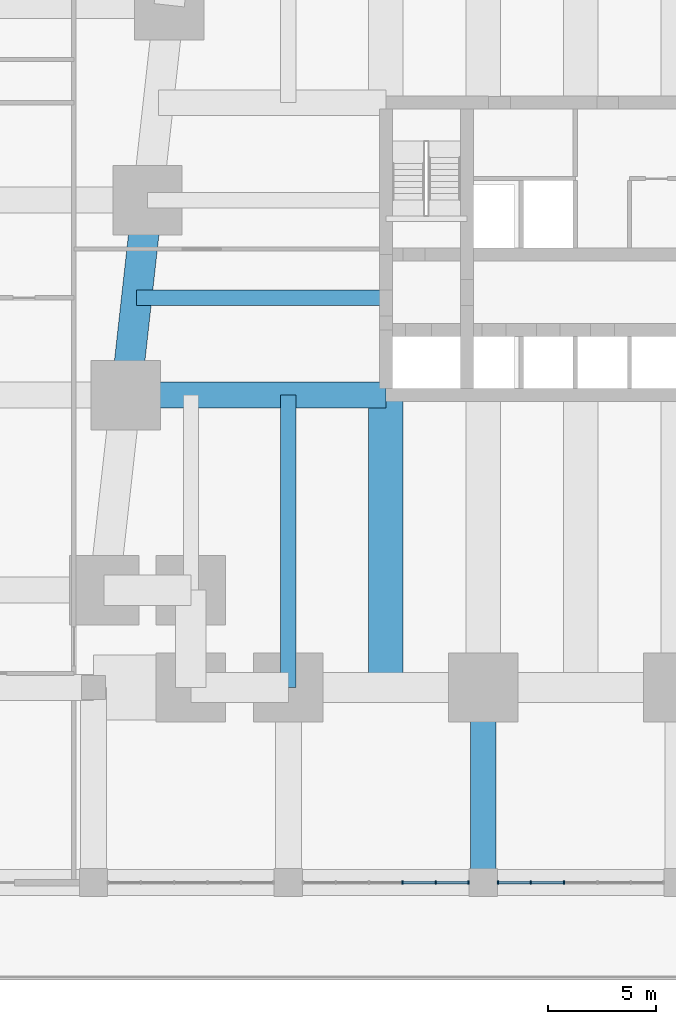
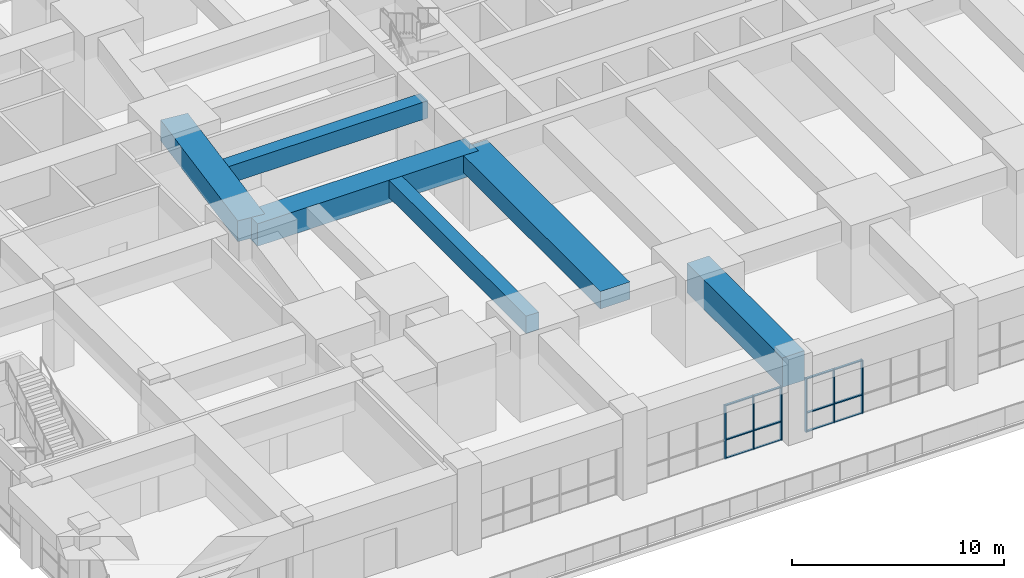
# One storey, part 5 of 27: 18 members, 6 beams, 2 elements without a shape of their own.
"""IFC4 building model written with IfcOpenShell, lengths in metres."""

from ifc_helpers import new_model, si_unit, direction, frame, origin, origin_2d, place, context, subcontext, project, spatial, rectangle, extrude, material, material_profile, profile_set, type_object, element, aggregate, save


model = new_model("IFC4")

# Units and contexts
model_context = context("Model", 3, precision=1e-05, world=origin(), true_north=direction((0.0, 1.0)))
body_context = subcontext(model_context, "Body", "Model", "MODEL_VIEW")
ifc_project = project(units=[si_unit("LENGTHUNIT", "METRE"), si_unit("AREAUNIT", "SQUARE_METRE"), si_unit("VOLUMEUNIT", "CUBIC_METRE"), si_unit("PLANEANGLEUNIT", "RADIAN"), si_unit("MASSUNIT", "GRAM", prefix="KILO")], contexts=[model_context])

# Site, building, storey
site_placement = place(None, origin())
site = spatial("IfcSite", under=ifc_project, at=site_placement, CompositionType="ELEMENT")
building_placement = place(site_placement, origin())
building = spatial("IfcBuilding", under=site, at=building_placement, Name="Kilele Tower Hotel", CompositionType="ELEMENT")
storey_placement = place(building_placement, frame((0.0, 0.0, 6.0)))
storey = spatial("IfcBuildingStorey", under=building, at=storey_placement, Name="L01", CompositionType="ELEMENT", Elevation=6.0)

# Beams
ifc_material_1 = material(Name="Concrete C60/75", Category="concrete")
ifc_material_profile_1 = material_profile(ifc_material_1, rectangle(XDim=1.60009765625, YDim=1.0, at=origin_2d()))
ifc_profile_set_1 = profile_set([ifc_material_profile_1], Name="Concrete C60/75")
beam_type_1 = type_object("IfcBeamType", Name="Beam RC 1600x1000 C60/75", PredefinedType="BEAM", material=ifc_profile_set_1)
beam_1_placement = place(storey_placement, frame((13.5, 0.0, 4.199951171875), z_axis=(0.0, 1.0, 0.0), x_axis=(-1.0, 0.0, 0.0)))
element("IfcBeam", 1, at=beam_1_placement, inside=storey, type_object=beam_type_1, Name="Beam BC1 level L02", PredefinedType="BEAM", context=body_context, shape_type="SweptSolid", body=[
    extrude(rectangle(XDim=1.60009765625, YDim=1.0, at=origin_2d()), origin(), (0.0, 0.0, 1.0), 13.5),
])
ifc_material_2 = material(Name="Concrete C60/75", Category="concrete")
ifc_material_profile_2 = material_profile(ifc_material_2, rectangle(XDim=0.699951171875, YDim=1.0, at=origin_2d()))
ifc_profile_set_2 = profile_set([ifc_material_profile_2], Name="Concrete C60/75")
beam_type_2 = type_object("IfcBeamType", Name="Beam RC 700x1000 C60/75", PredefinedType="BEAM", material=ifc_profile_set_2)
beam_2_placement = place(storey_placement, frame((9.0, 0.0, 4.199951171875), z_axis=(0.0, 1.0, 0.0), x_axis=(-1.0, 0.0, 0.0)))
element("IfcBeam", 2, at=beam_2_placement, inside=storey, type_object=beam_type_2, Name="Beam B4 level L02", PredefinedType="BEAM", context=body_context, shape_type="SweptSolid", body=[
    extrude(rectangle(XDim=0.699951171875, YDim=1.0, at=origin_2d()), origin(), (0.0, 0.0, 1.0), 13.5),
])
ifc_material_3 = material(Name="Concrete C60/75", Category="concrete")
ifc_material_profile_3 = material_profile(ifc_material_3, rectangle(XDim=0.699951171875, YDim=1.0, at=origin_2d()))
ifc_profile_set_3 = profile_set([ifc_material_profile_3], Name="Concrete C60/75")
beam_type_3 = type_object("IfcBeamType", Name="Beam RC 700x1000 C60/75 mid span", PredefinedType="BEAM", material=ifc_profile_set_3)
beam_3_placement = place(storey_placement, frame((2.0, 18.0, 4.199951171875), z_axis=(1.0, 0.0, 0.0), x_axis=(0.0, 1.0, 0.0)))
element("IfcBeam", 3, at=beam_3_placement, inside=storey, type_object=beam_type_3, Name="Beam B5 level L02", PredefinedType="BEAM", context=body_context, shape_type="SweptSolid", body=[
    extrude(rectangle(XDim=0.699951171875, YDim=1.0, at=origin_2d()), origin(), (0.0, 0.0, 1.0), 11.5),
])
ifc_material_4 = material(Name="Concrete C60/75", Category="concrete")
ifc_material_profile_4 = material_profile(ifc_material_4, rectangle(XDim=1.199951171875, YDim=1.300048828125, at=origin_2d()))
ifc_profile_set_4 = profile_set([ifc_material_profile_4], Name="Concrete C60/75")
beam_type_4 = type_object("IfcBeamType", Name="Girder RC 1200x1300 C60/75", PredefinedType="BEAM", material=ifc_profile_set_4)
beam_4_placement = place(storey_placement, frame((1.5, 13.5, 4.050048828125), z_axis=(1.0, 0.0, 0.0), x_axis=(0.0, 1.0, 0.0)))
element("IfcBeam", 4, at=beam_4_placement, inside=storey, type_object=beam_type_4, Name="Girder G1 level L02", PredefinedType="BEAM", context=body_context, shape_type="SweptSolid", body=[
    extrude(rectangle(XDim=1.199951171875, YDim=1.300048828125, at=origin_2d()), origin(), (0.0, 0.0, 1.0), 12.0),
])

# Curtain wall, members
ifc_material_5 = material(Name="Aluminium curtain wall, clear double glazing", Category="aluminium")
curtain_wall_type = type_object("IfcCurtainWallType", Name="Podium curtain wall CW-1", PredefinedType="NOTDEFINED", material=ifc_material_5)
curtain_wall_1_placement = place(storey_placement, origin())
curtain_wall_1 = element("IfcCurtainWall", 5, at=curtain_wall_1_placement, inside=storey, type_object=curtain_wall_type, Name="Podium curtain wall CW-1 L01", PredefinedType="NOTDEFINED")
ifc_material_6 = material(Name="Aluminium EN AW-6063 T6", Category="aluminium")
ifc_material_profile_5 = material_profile(ifc_material_6, rectangle(XDim=0.159912109375, YDim=0.06005859375, at=origin_2d()))
ifc_profile_set_5 = profile_set([ifc_material_profile_5], Name="Aluminium EN AW-6063 T6")
member_type_1 = type_object("IfcMemberType", Name="Mullion 60x160 CW-1", PredefinedType="MULLION", material=ifc_profile_set_5)
member_1_placement = place(storey_placement, frame((14.27001953125, -9.0, 0.0), z_axis=(0.0, 0.0, 1.0), x_axis=(0.0, 1.0, 0.0)))
member_1 = element("IfcMember", 6, at=member_1_placement, type_object=member_type_1, Name="CW-1 mullion 4", PredefinedType="MULLION", context=body_context, shape_type="SweptSolid", body=[
    extrude(rectangle(XDim=0.159912109375, YDim=0.06005859375, at=origin_2d()), origin(), (0.0, 0.0, 1.0), 3.10009765625),
])
member_2_placement = place(storey_placement, frame((15.81005859375, -9.0, 0.0), z_axis=(0.0, 0.0, 1.0), x_axis=(0.0, 1.0, 0.0)))
member_2 = element("IfcMember", 7, at=member_2_placement, type_object=member_type_1, Name="CW-1 mullion 5", PredefinedType="MULLION", context=body_context, shape_type="SweptSolid", body=[
    extrude(rectangle(XDim=0.159912109375, YDim=0.06005859375, at=origin_2d()), origin(), (0.0, 0.0, 1.0), 3.10009765625),
])
member_3_placement = place(storey_placement, frame((17.320068359375, -9.0, 0.0), z_axis=(0.0, 0.0, 1.0), x_axis=(0.0, 1.0, 0.0)))
member_3 = element("IfcMember", 8, at=member_3_placement, type_object=member_type_1, Name="CW-1 mullion 6", PredefinedType="MULLION", context=body_context, shape_type="SweptSolid", body=[
    extrude(rectangle(XDim=0.159912109375, YDim=0.06005859375, at=origin_2d()), origin(), (0.0, 0.0, 1.0), 3.10009765625),
])

curtain_wall_2_placement = place(storey_placement, origin())
curtain_wall_2 = element("IfcCurtainWall", 9, at=curtain_wall_2_placement, inside=storey, type_object=curtain_wall_type, Name="Podium curtain wall CW-1 L01", PredefinedType="NOTDEFINED")
member_4_placement = place(storey_placement, frame((18.679931640625, -9.0, 0.0), z_axis=(0.0, 0.0, 1.0), x_axis=(0.0, 1.0, 0.0)))
member_4 = element("IfcMember", 10, at=member_4_placement, type_object=member_type_1, Name="CW-1 mullion 1", PredefinedType="MULLION", context=body_context, shape_type="SweptSolid", body=[
    extrude(rectangle(XDim=0.159912109375, YDim=0.06005859375, at=origin_2d()), origin(), (0.0, 0.0, 1.0), 3.10009765625),
])
member_5_placement = place(storey_placement, frame((20.18994140625, -9.0, 0.0), z_axis=(0.0, 0.0, 1.0), x_axis=(0.0, 1.0, 0.0)))
member_5 = element("IfcMember", 11, at=member_5_placement, type_object=member_type_1, Name="CW-1 mullion 2", PredefinedType="MULLION", context=body_context, shape_type="SweptSolid", body=[
    extrude(rectangle(XDim=0.159912109375, YDim=0.06005859375, at=origin_2d()), origin(), (0.0, 0.0, 1.0), 3.10009765625),
])
member_6_placement = place(storey_placement, frame((21.72998046875, -9.0, 0.0), z_axis=(0.0, 0.0, 1.0), x_axis=(0.0, 1.0, 0.0)))
member_6 = element("IfcMember", 12, at=member_6_placement, type_object=member_type_1, Name="CW-1 mullion 3", PredefinedType="MULLION", context=body_context, shape_type="SweptSolid", body=[
    extrude(rectangle(XDim=0.159912109375, YDim=0.06005859375, at=origin_2d()), origin(), (0.0, 0.0, 1.0), 3.10009765625),
])

# Beams
ifc_material_7 = material(Name="Concrete C60/75", Category="concrete")
ifc_material_profile_6 = material_profile(ifc_material_7, rectangle(XDim=1.39990234375, YDim=1.199951171875, at=origin_2d()))
ifc_profile_set_6 = profile_set([ifc_material_profile_6], Name="Concrete C60/75")
beam_type_5 = type_object("IfcBeamType", Name="Spandrel RC 1400x1200 C60/75", PredefinedType="SPANDREL", material=ifc_profile_set_6)
beam_5_placement = place(storey_placement, frame((2.5, 22.5, 4.10009765625), z_axis=(-0.110431526075, -0.993883734674, 0.0), x_axis=(0.993883734674, -0.110431526075, 0.0)))
element("IfcBeam", 13, at=beam_5_placement, inside=storey, type_object=beam_type_5, Name="Spandrel SP10 level L02", PredefinedType="SPANDREL", context=body_context, shape_type="SweptSolid", body=[
    extrude(rectangle(XDim=1.39990234375, YDim=1.199951171875, at=origin_2d()), origin(), (0.0, 0.0, 1.0), 9.055419921875),
])
ifc_material_8 = material(Name="Concrete C60/75", Category="concrete")
ifc_material_profile_7 = material_profile(ifc_material_8, rectangle(XDim=1.199951171875, YDim=1.699951171875, at=origin_2d()))
ifc_profile_set_7 = profile_set([ifc_material_profile_7], Name="Concrete C60/75")
beam_type_6 = type_object("IfcBeamType", Name="Transfer girder RC 1200x1700 C60/75", PredefinedType="USERDEFINED", material=ifc_profile_set_7)
beam_6_placement = place(storey_placement, frame((18.0, -9.0, 3.85009765625), z_axis=(0.0, 1.0, 0.0), x_axis=(-1.0, 0.0, 0.0)))
element("IfcBeam", 14, at=beam_6_placement, inside=storey, type_object=beam_type_6, Name="Transfer girder TG1 level L02", ObjectType="TRANSFER GIRDER", PredefinedType="USERDEFINED", context=body_context, shape_type="SweptSolid", body=[
    extrude(rectangle(XDim=1.199951171875, YDim=1.699951171875, at=origin_2d()), origin(), (0.0, 0.0, 1.0), 9.0),
])

# Member
ifc_material_9 = material(Name="Aluminium EN AW-6063 T6", Category="aluminium")
ifc_material_profile_8 = material_profile(ifc_material_9, rectangle(XDim=0.1201171875, YDim=0.06005859375, at=origin_2d()))
ifc_profile_set_8 = profile_set([ifc_material_profile_8], Name="Aluminium EN AW-6063 T6")
member_type_2 = type_object("IfcMemberType", Name="Transom 60x120 CW-1", PredefinedType="USERDEFINED", material=ifc_profile_set_8)
member_7_placement = place(storey_placement, frame((14.300048828125, -9.0, 0.030029296875), z_axis=(1.0, 0.0, 0.0), x_axis=(0.0, 1.0, 0.0)))
member_7 = element("IfcMember", 15, at=member_7_placement, type_object=member_type_2, Name="CW-1 transom 4.1", ObjectType="TRANSOM", PredefinedType="USERDEFINED", context=body_context, shape_type="SweptSolid", body=[
    extrude(rectangle(XDim=0.1201171875, YDim=0.06005859375, at=origin_2d()), origin(), (0.0, 0.0, 1.0), 1.47998046875),
])

member_8_placement = place(storey_placement, frame((14.300048828125, -9.0, 1.10009765625), z_axis=(1.0, 0.0, 0.0), x_axis=(0.0, 1.0, 0.0)))
member_8 = element("IfcMember", 16, at=member_8_placement, type_object=member_type_2, Name="CW-1 transom 4.2", ObjectType="TRANSOM", PredefinedType="USERDEFINED", context=body_context, shape_type="SweptSolid", body=[
    extrude(rectangle(XDim=0.1201171875, YDim=0.06005859375, at=origin_2d()), origin(), (0.0, 0.0, 1.0), 1.47998046875),
])

member_9_placement = place(storey_placement, frame((14.300048828125, -9.0, 3.070068359375), z_axis=(1.0, 0.0, 0.0), x_axis=(0.0, 1.0, 0.0)))
member_9 = element("IfcMember", 17, at=member_9_placement, type_object=member_type_2, Name="CW-1 transom 4.3", ObjectType="TRANSOM", PredefinedType="USERDEFINED", context=body_context, shape_type="SweptSolid", body=[
    extrude(rectangle(XDim=0.1201171875, YDim=0.06005859375, at=origin_2d()), origin(), (0.0, 0.0, 1.0), 1.47998046875),
])

member_10_placement = place(storey_placement, frame((15.840087890625, -9.0, 0.030029296875), z_axis=(1.0, 0.0, 0.0), x_axis=(0.0, 1.0, 0.0)))
member_10 = element("IfcMember", 18, at=member_10_placement, type_object=member_type_2, Name="CW-1 transom 5.1", ObjectType="TRANSOM", PredefinedType="USERDEFINED", context=body_context, shape_type="SweptSolid", body=[
    extrude(rectangle(XDim=0.1201171875, YDim=0.06005859375, at=origin_2d()), origin(), (0.0, 0.0, 1.0), 1.449951171875),
])

member_11_placement = place(storey_placement, frame((15.840087890625, -9.0, 1.10009765625), z_axis=(1.0, 0.0, 0.0), x_axis=(0.0, 1.0, 0.0)))
member_11 = element("IfcMember", 19, at=member_11_placement, type_object=member_type_2, Name="CW-1 transom 5.2", ObjectType="TRANSOM", PredefinedType="USERDEFINED", context=body_context, shape_type="SweptSolid", body=[
    extrude(rectangle(XDim=0.1201171875, YDim=0.06005859375, at=origin_2d()), origin(), (0.0, 0.0, 1.0), 1.449951171875),
])

member_12_placement = place(storey_placement, frame((15.840087890625, -9.0, 3.070068359375), z_axis=(1.0, 0.0, 0.0), x_axis=(0.0, 1.0, 0.0)))
member_12 = element("IfcMember", 20, at=member_12_placement, type_object=member_type_2, Name="CW-1 transom 5.3", ObjectType="TRANSOM", PredefinedType="USERDEFINED", context=body_context, shape_type="SweptSolid", body=[
    extrude(rectangle(XDim=0.1201171875, YDim=0.06005859375, at=origin_2d()), origin(), (0.0, 0.0, 1.0), 1.449951171875),
])

aggregate(curtain_wall_1, [member_1, member_2, member_3, member_7, member_8, member_9, member_10, member_11, member_12])

member_13_placement = place(storey_placement, frame((18.7099609375, -9.0, 0.030029296875), z_axis=(1.0, 0.0, 0.0), x_axis=(0.0, 1.0, 0.0)))
member_13 = element("IfcMember", 21, at=member_13_placement, type_object=member_type_2, Name="CW-1 transom 1.1", ObjectType="TRANSOM", PredefinedType="USERDEFINED", context=body_context, shape_type="SweptSolid", body=[
    extrude(rectangle(XDim=0.1201171875, YDim=0.06005859375, at=origin_2d()), origin(), (0.0, 0.0, 1.0), 1.449951171875),
])

member_14_placement = place(storey_placement, frame((18.7099609375, -9.0, 1.10009765625), z_axis=(1.0, 0.0, 0.0), x_axis=(0.0, 1.0, 0.0)))
member_14 = element("IfcMember", 22, at=member_14_placement, type_object=member_type_2, Name="CW-1 transom 1.2", ObjectType="TRANSOM", PredefinedType="USERDEFINED", context=body_context, shape_type="SweptSolid", body=[
    extrude(rectangle(XDim=0.1201171875, YDim=0.06005859375, at=origin_2d()), origin(), (0.0, 0.0, 1.0), 1.449951171875),
])

member_15_placement = place(storey_placement, frame((18.7099609375, -9.0, 3.070068359375), z_axis=(1.0, 0.0, 0.0), x_axis=(0.0, 1.0, 0.0)))
member_15 = element("IfcMember", 23, at=member_15_placement, type_object=member_type_2, Name="CW-1 transom 1.3", ObjectType="TRANSOM", PredefinedType="USERDEFINED", context=body_context, shape_type="SweptSolid", body=[
    extrude(rectangle(XDim=0.1201171875, YDim=0.06005859375, at=origin_2d()), origin(), (0.0, 0.0, 1.0), 1.449951171875),
])

member_16_placement = place(storey_placement, frame((20.219970703125, -9.0, 0.030029296875), z_axis=(1.0, 0.0, 0.0), x_axis=(0.0, 1.0, 0.0)))
member_16 = element("IfcMember", 24, at=member_16_placement, type_object=member_type_2, Name="CW-1 transom 2.1", ObjectType="TRANSOM", PredefinedType="USERDEFINED", context=body_context, shape_type="SweptSolid", body=[
    extrude(rectangle(XDim=0.1201171875, YDim=0.06005859375, at=origin_2d()), origin(), (0.0, 0.0, 1.0), 1.47998046875),
])

member_17_placement = place(storey_placement, frame((20.219970703125, -9.0, 1.10009765625), z_axis=(1.0, 0.0, 0.0), x_axis=(0.0, 1.0, 0.0)))
member_17 = element("IfcMember", 25, at=member_17_placement, type_object=member_type_2, Name="CW-1 transom 2.2", ObjectType="TRANSOM", PredefinedType="USERDEFINED", context=body_context, shape_type="SweptSolid", body=[
    extrude(rectangle(XDim=0.1201171875, YDim=0.06005859375, at=origin_2d()), origin(), (0.0, 0.0, 1.0), 1.47998046875),
])

member_18_placement = place(storey_placement, frame((20.219970703125, -9.0, 3.070068359375), z_axis=(1.0, 0.0, 0.0), x_axis=(0.0, 1.0, 0.0)))
member_18 = element("IfcMember", 26, at=member_18_placement, type_object=member_type_2, Name="CW-1 transom 2.3", ObjectType="TRANSOM", PredefinedType="USERDEFINED", context=body_context, shape_type="SweptSolid", body=[
    extrude(rectangle(XDim=0.1201171875, YDim=0.06005859375, at=origin_2d()), origin(), (0.0, 0.0, 1.0), 1.47998046875),
])

aggregate(curtain_wall_2, [member_4, member_5, member_6, member_13, member_14, member_15, member_16, member_17, member_18])

save(model, "model.ifc")
